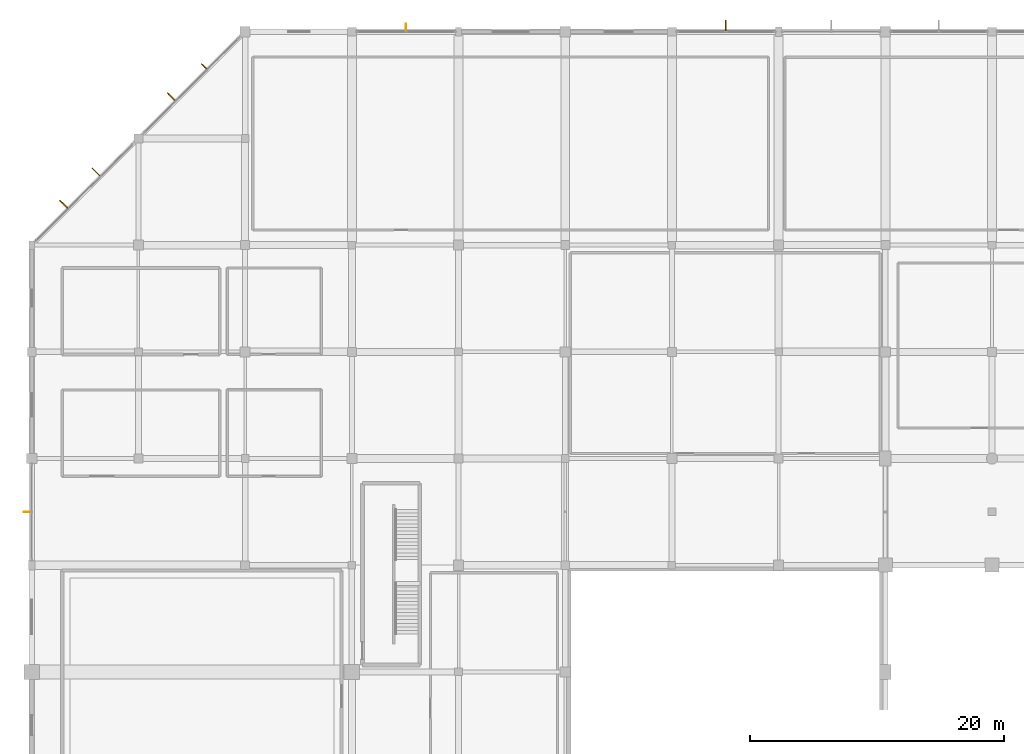
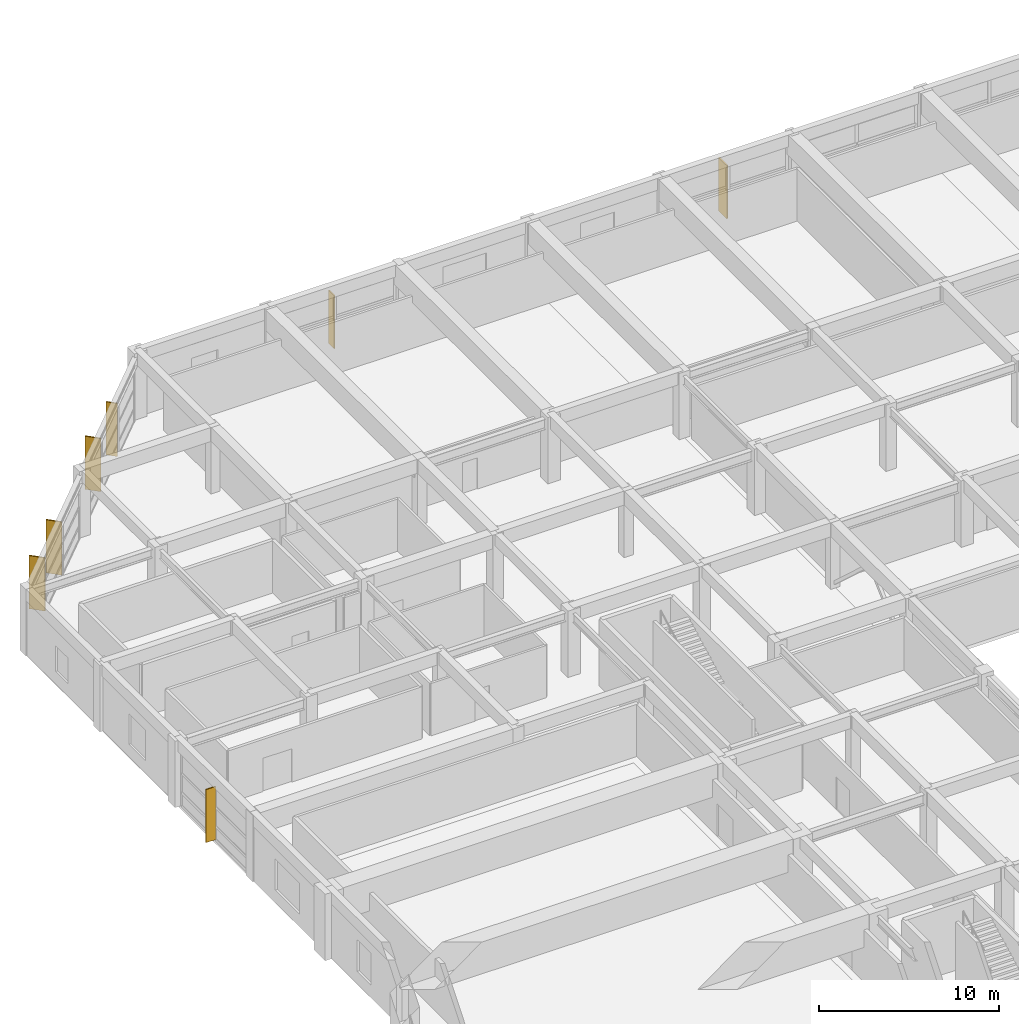
# One storey, part 62 of 65: 7 shading devices.
"""IFC4 building model written with IfcOpenShell, lengths in metres."""

import ifcopenshell
import ifcopenshell.guid

model = None  # the IFC model being written
_history = None  # IfcOwnerHistory: only IFC2X3 demands one
_inside = {}  # id of a spatial element -> (the spatial element, [elements in it])
_under = {}  # id of a project, library or spatial element -> (it, [spatial elements below it])
_declared = {}  # id of a project -> (the project, [libraries it declares])
_typed = {}  # id of a type object -> (the type object, [elements of that type])
_made_of = {}  # id of a material, layer set ... -> (it, [elements and type objects made of it])


def new_model(schema):
    """Start an empty IFC model of exactly this schema.

    Asked for "IFC4X3", IfcOpenShell would pick the latest addendum, in which some entities
    have other attributes; the version numbers below select the first issue.
    IFC2X3 requires an IfcOwnerHistory on every rooted entity: one is made here for all.
    """
    global model, _history
    if schema == "IFC4X3":
        model = ifcopenshell.file(schema_version=(4, 3, 0, 0))
    else:
        model = ifcopenshell.file(schema=schema)
    _inside.clear()
    _under.clear()
    _declared.clear()
    _typed.clear()
    _made_of.clear()
    _history = None
    if model.schema == "IFC2X3":
        org = make("IfcOrganization", Name="unknown")
        user = make(
            "IfcPersonAndOrganization",
            ThePerson=make("IfcPerson", FamilyName="unknown"),
            TheOrganization=org,
        )
        app = make(
            "IfcApplication",
            ApplicationDeveloper=org,
            Version="unknown",
            ApplicationFullName="unknown",
            ApplicationIdentifier="unknown",
        )
        _history = make(
            "IfcOwnerHistory",
            OwningUser=user,
            OwningApplication=app,
            ChangeAction="ADDED",
            CreationDate=0,
        )
    return model


def make(cls, **values):
    """One entity of the class cls with the attributes given. An attribute that is None is left unset."""
    return model.create_entity(
        cls, **{name: value for name, value in values.items() if value is not None}
    )


def rooted(cls, **values):
    """An entity with a GlobalId (a new one), such as an element, a storey or a relation."""
    return make(cls, GlobalId=ifcopenshell.guid.new(), OwnerHistory=_history, **values)


def si_unit(unit_type, name, prefix=None):
    """IfcSIUnit, for example si_unit("LENGTHUNIT", "METRE", prefix="MILLI")."""
    return make("IfcSIUnit", UnitType=unit_type, Prefix=prefix, Name=name)


def assignment(units):
    """IfcUnitAssignment: the units of a project."""
    return None if units is None else make("IfcUnitAssignment", Units=units)


def point(xyz):
    """IfcCartesianPoint."""
    return None if xyz is None else make("IfcCartesianPoint", Coordinates=xyz)


def direction(xyz):
    """IfcDirection."""
    return None if xyz is None else make("IfcDirection", DirectionRatios=xyz)


def frame(location, z_axis=None, x_axis=None):
    """IfcAxis2Placement3D, a coordinate frame: its origin and axes. An axis left out is left unset."""
    return make(
        "IfcAxis2Placement3D",
        Location=point(location),
        Axis=direction(z_axis),
        RefDirection=direction(x_axis),
    )


def frame_2d(location, x_axis=None):
    """IfcAxis2Placement2D, a coordinate frame in the plane: its origin and x axis."""
    return make(
        "IfcAxis2Placement2D", Location=point(location), RefDirection=direction(x_axis)
    )


def origin():
    """The frame at (0, 0, 0) with its axes left unset."""
    return frame((0.0, 0.0, 0.0))


def origin_2d():
    """The frame at (0, 0) in the plane with its x axis left unset."""
    return frame_2d((0.0, 0.0))


def place(relative_to, where):
    """IfcLocalPlacement: puts the frame where relative to a parent placement (None: the world)."""
    return make(
        "IfcLocalPlacement", PlacementRelTo=relative_to, RelativePlacement=where
    )


def context(
    kind, dimensions, precision=None, world=None, true_north=None, identifier=None
):
    """IfcGeometricRepresentationContext, for example the 3D "Model" context."""
    return make(
        "IfcGeometricRepresentationContext",
        ContextIdentifier=identifier,
        ContextType=kind,
        CoordinateSpaceDimension=dimensions,
        Precision=precision,
        WorldCoordinateSystem=world,
        TrueNorth=true_north,
    )


def subcontext(parent, identifier, kind, view, scale=None):
    """IfcGeometricRepresentationSubContext, for example "Body" below "Model"."""
    return make(
        "IfcGeometricRepresentationSubContext",
        ContextIdentifier=identifier,
        ContextType=kind,
        ParentContext=parent,
        TargetScale=scale,
        TargetView=view,
    )


def project(units=None, contexts=None):
    """IfcProject with its units and contexts."""
    return rooted(
        "IfcProject",
        Name="project",
        RepresentationContexts=contexts,
        UnitsInContext=assignment(units),
    )


def spatial(cls, under=None, at=None, **own):
    """A site, building, storey or space (cls), placed at a placement, below another one or the project."""
    s = rooted(cls, ObjectPlacement=at, **own)
    if under is not None:
        _under.setdefault(under.id(), (under, []))[1].append(s)
    return s


def profile(cls, at=None, kind="AREA", **sizes):
    """A parametric profile (cls). Its sizes go by their IFC names, for example OverallWidth=200.0."""
    return make(cls, ProfileType=kind, Position=at, **sizes)


def rectangle(**sizes):
    """IfcRectangleProfileDef."""
    return profile("IfcRectangleProfileDef", **sizes)


def extrude(swept, where, along, depth):
    """IfcExtrudedAreaSolid: the profile swept, set in the frame where, extruded along a direction by depth."""
    return make(
        "IfcExtrudedAreaSolid",
        SweptArea=swept,
        Position=where,
        ExtrudedDirection=direction(along),
        Depth=depth,
    )


def shape(context_of_items, identifier, shape_type, items):
    """IfcShapeRepresentation: the items that make up one representation, for example the "Body"."""
    return make(
        "IfcShapeRepresentation",
        ContextOfItems=context_of_items,
        RepresentationIdentifier=identifier,
        RepresentationType=shape_type,
        Items=items,
    )


def material(Name=None, Category=None):
    """IfcMaterial."""
    return make("IfcMaterial", Name=Name, Category=Category)


def made_of(thing, what):
    """Note that an element or type object is made of a material, layer set ...; save() writes the relation."""
    if what is not None:
        _made_of.setdefault(what.id(), (what, []))[1].append(thing)
    return thing


def type_object(cls, material=None, **own):
    """A type object (cls), such as IfcWallType, which elements share."""
    return made_of(rooted(cls, **own), material)


def element(
    cls,
    number,
    at=None,
    inside=None,
    cuts=None,
    type_object=None,
    material=None,
    context=None,
    identifier="Body",
    shape_type=None,
    held_by="IfcProductDefinitionShape",
    body=None,
    shapes=None,
    **own,
):
    """One element of the class cls, such as IfcWall. Its Tag is "e" and its number.

    at: its placement. inside: the storey or other place that contains it. cuts: it is an
    opening in that element (IfcRelVoidsElement). A single representation is given by context,
    identifier, shape_type and body (its items); several are given by shapes. held_by: the class
    of the entity that holds the representations. save() writes the other relations.
    """
    e = rooted(cls, Tag="e%d" % number, ObjectPlacement=at, **own)
    if body is not None:
        shapes = [shape(context, identifier, shape_type, body)]
    if shapes is not None:
        e.Representation = make(held_by, Representations=shapes)
    if inside is not None:
        _inside.setdefault(inside.id(), (inside, []))[1].append(e)
    if cuts is not None:
        rooted(
            "IfcRelVoidsElement", RelatingBuildingElement=cuts, RelatedOpeningElement=e
        )
    if type_object is not None:
        _typed.setdefault(type_object.id(), (type_object, []))[1].append(e)
    return made_of(e, material)


def aggregate(whole, parts):
    """IfcRelAggregates: a whole, such as a stair, and the parts it consists of."""
    return rooted("IfcRelAggregates", RelatingObject=whole, RelatedObjects=parts)


def save(model, path):
    """Write the relations noted so far, then the file.

    IfcRelAggregates (storeys below a building ...), IfcRelContainedInSpatialStructure (elements
    in a storey), IfcRelDefinesByType, IfcRelAssociatesMaterial and IfcRelDeclares: one each for
    every whole, place, type object, material and project.
    """
    for whole, parts in _under.values():
        aggregate(whole, parts)
    for where, things in _inside.values():
        rooted(
            "IfcRelContainedInSpatialStructure",
            RelatedElements=things,
            RelatingStructure=where,
        )
    for kind, things in _typed.values():
        rooted("IfcRelDefinesByType", RelatedObjects=things, RelatingType=kind)
    for what, things in _made_of.values():
        rooted("IfcRelAssociatesMaterial", RelatedObjects=things, RelatingMaterial=what)
    for by, libraries in _declared.values():
        rooted("IfcRelDeclares", RelatingContext=by, RelatedDefinitions=libraries)
    model.write(path)


model = new_model("IFC4")

# Units and contexts
model_context = context("Model", 3, precision=1e-05, world=origin(), true_north=direction((0.0, 1.0)))
body_context = subcontext(model_context, "Body", "Model", "MODEL_VIEW")
ifc_project = project(units=[si_unit("LENGTHUNIT", "METRE"), si_unit("AREAUNIT", "SQUARE_METRE"), si_unit("VOLUMEUNIT", "CUBIC_METRE"), si_unit("PLANEANGLEUNIT", "RADIAN"), si_unit("MASSUNIT", "GRAM", prefix="KILO")], contexts=[model_context])

# Site, building, storey
site_placement = place(None, origin())
site = spatial("IfcSite", under=ifc_project, at=site_placement, CompositionType="ELEMENT")
building_placement = place(site_placement, origin())
building = spatial("IfcBuilding", under=site, at=building_placement, Name="Xuanlan Plaza Opera House", CompositionType="ELEMENT")
storey_placement = place(building_placement, frame((0.0, 0.0, 5.39990234375)))
storey = spatial("IfcBuildingStorey", under=building, at=storey_placement, Name="L01", CompositionType="ELEMENT", Elevation=5.39990234375)

# Shading devices
ifc_material = material(Name="Anodised Aluminium 6063-T6", Category="aluminium")
shading_device_type_1 = type_object("IfcShadingDeviceType", Name="ENV-SHD-BRS01", PredefinedType="JALOUSIE", material=ifc_material)
for number, where, z_axis, x_axis, name in (
    (1, (29.46240234375, 117.925048828125, 0.0400390625), (0.0, 0.0, 1.0), (0.0, 1.0, 0.0), "Parametric Sunshade Fin L01-0088"),
    (2, (13.587158203125, 114.8466796875, 0.0400390625), (0.0, 0.0, 1.0), (-0.707106781187, 0.707106781187, 0.0), "Parametric Sunshade Fin L01-0089"),
    (3, (-0.324951171875, 79.78759765625, 0.0400390625), (0.0, 0.0, 1.0), (-1.0, 0.0, 0.0), "Parametric Sunshade Fin L01-0093"),
):
    element("IfcShadingDevice", number, at=place(storey_placement, frame(where, z_axis=z_axis, x_axis=x_axis)), inside=storey, type_object=shading_device_type_1, Name=name, PredefinedType="JALOUSIE", context=body_context, shape_type="SweptSolid", body=[
        extrude(rectangle(XDim=0.639892578125, YDim=0.070068359375, at=origin_2d()), origin(), (0.0, 0.0, 1.0), 3.60009765625),
    ])
shading_device_type_2 = type_object("IfcShadingDeviceType", Name="ENV-SHD-BRS02", PredefinedType="JALOUSIE", material=ifc_material)
for number, where, z_axis, x_axis, name in (
    (4, (54.64990234375, 118.06494140625, 0.0400390625), (0.0, 0.0, 1.0), (0.0, 1.0, 0.0), "Parametric Sunshade Fin L01-0087"),
    (5, (11.004150390625, 112.4619140625, 0.0400390625), (0.0, 0.0, 1.0), (-0.707106781187, 0.707106781187, 0.0), "Parametric Sunshade Fin L01-0090"),
    (6, (5.079833984375, 106.53759765625, 0.0400390625), (0.0, 0.0, 1.0), (-0.707106781187, 0.707106781187, 0.0), "Parametric Sunshade Fin L01-0091"),
    (7, (2.53759765625, 103.9951171875, 0.0400390625), (0.0, 0.0, 1.0), (-0.707106781187, 0.707106781187, 0.0), "Parametric Sunshade Fin L01-0092"),
):
    element("IfcShadingDevice", number, at=place(storey_placement, frame(where, z_axis=z_axis, x_axis=x_axis)), inside=storey, type_object=shading_device_type_2, Name=name, PredefinedType="JALOUSIE", context=body_context, shape_type="SweptSolid", body=[
        extrude(rectangle(XDim=0.919921875, YDim=0.080078125, at=origin_2d()), origin(), (0.0, 0.0, 1.0), 3.60009765625),
    ])

save(model, "model.ifc")
